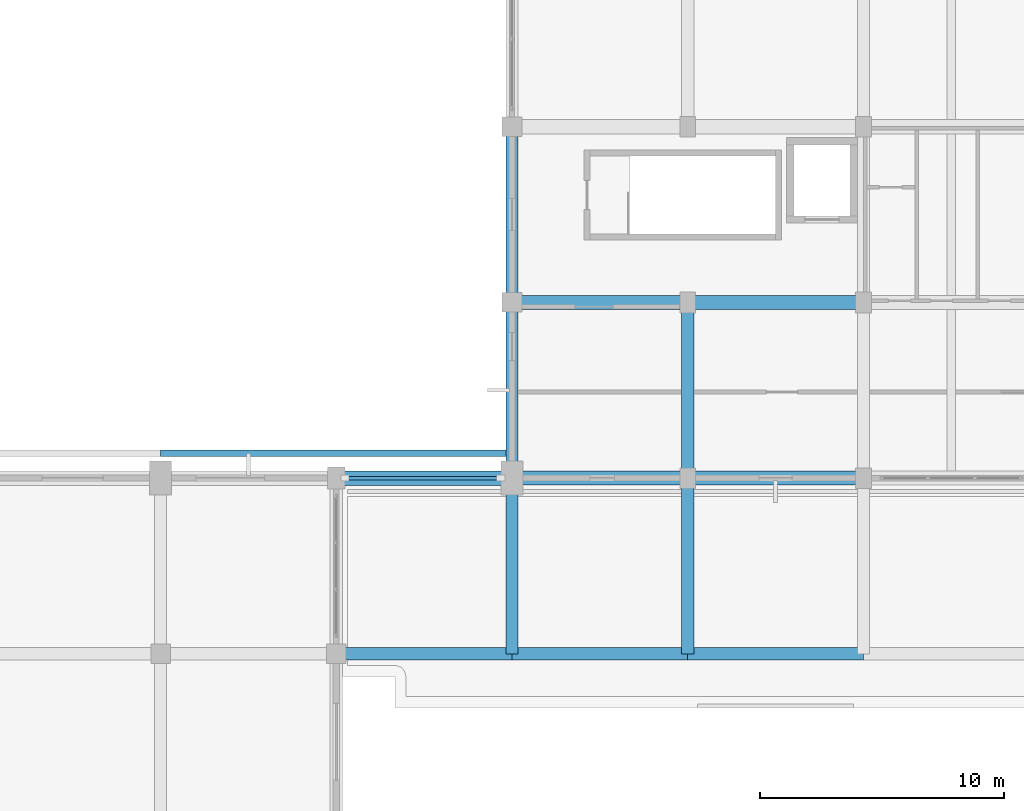
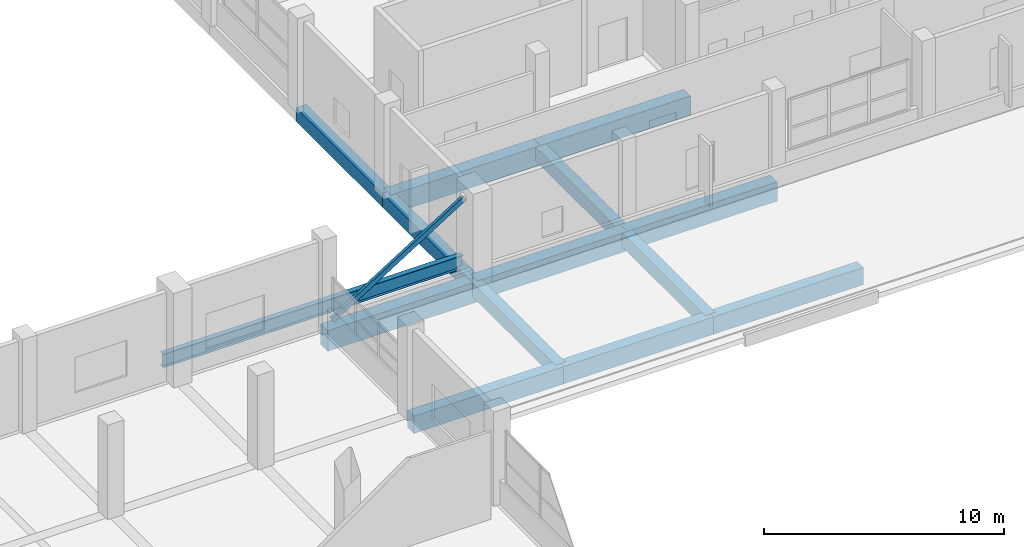
# One storey, part 74 of 140: 14 beams, 1 member.
"""IFC4 building model written with IfcOpenShell, lengths in metres."""

from ifc_helpers import new_model, si_unit, direction, frame, origin, origin_2d, place, context, subcontext, project, spatial, rectangle, hollow_rectangle, i_section, extrude, material, material_profile, profile_set, type_object, element, save


model = new_model("IFC4")

# Units and contexts
model_context = context("Model", 3, precision=1e-05, world=origin(), true_north=direction((0.0, 1.0)))
body_context = subcontext(model_context, "Body", "Model", "MODEL_VIEW")
ifc_project = project(units=[si_unit("LENGTHUNIT", "METRE"), si_unit("AREAUNIT", "SQUARE_METRE"), si_unit("VOLUMEUNIT", "CUBIC_METRE"), si_unit("PLANEANGLEUNIT", "RADIAN"), si_unit("MASSUNIT", "GRAM", prefix="KILO")], contexts=[model_context])

# Site, building, storey
site_placement = place(None, origin())
site = spatial("IfcSite", under=ifc_project, at=site_placement, CompositionType="ELEMENT")
building_placement = place(site_placement, origin())
building = spatial("IfcBuilding", under=site, at=building_placement, Name="Seraya Terrace Polytechnic", CompositionType="ELEMENT")
storey_placement = place(building_placement, frame((0.0, 0.0, 9.60009765625)))
storey = spatial("IfcBuildingStorey", under=building, at=storey_placement, Name="L02", CompositionType="ELEMENT", Elevation=9.60009765625)

# Beams
ifc_material_1 = material(Name="Concrete C40/50", Category="concrete")
ifc_material_profile_1 = material_profile(ifc_material_1, rectangle(XDim=0.60009765625, YDim=1.050048828125, at=origin_2d()), Name="RC 600x1050")
ifc_profile_set_1 = profile_set([ifc_material_profile_1], Name="Concrete C40/50")
beam_type_1 = type_object("IfcBeamType", Name="BM-01", PredefinedType="BEAM", material=ifc_profile_set_1)
beam_1_placement = place(storey_placement, frame((108.0, 79.199951171875, -0.525146484375), z_axis=(1.0, 0.0, 0.0), x_axis=(0.0, 1.0, 0.0)))
element("IfcBeam", 1, at=beam_1_placement, inside=storey, type_object=beam_type_1, Name="Beam BM-01 L02 X (108.0..115.2, 79.2)", PredefinedType="BEAM", context=body_context, shape_type="SweptSolid", body=[
    extrude(rectangle(XDim=0.60009765625, YDim=1.050048828125, at=origin_2d()), origin(), (0.0, 0.0, 1.0), 7.199951171875),
])
ifc_material_profile_2 = material_profile(ifc_material_1, rectangle(XDim=0.580078125, YDim=0.97998046875, at=origin_2d()), Name="RC 580x980")
ifc_profile_set_2 = profile_set([ifc_material_profile_2], Name="Concrete C40/50")
beam_type_2 = type_object("IfcBeamType", Name="BM-02", PredefinedType="BEAM", material=ifc_profile_set_2)
beam_2_placement = place(storey_placement, frame((115.199951171875, 79.199951171875, -0.489990234375), z_axis=(1.0, 0.0, 0.0), x_axis=(0.0, 1.0, 0.0)))
element("IfcBeam", 2, at=beam_2_placement, inside=storey, type_object=beam_type_2, Name="Beam BM-02 L02 X (115.2..122.4, 79.2)", PredefinedType="BEAM", context=body_context, shape_type="SweptSolid", body=[
    extrude(rectangle(XDim=0.580078125, YDim=0.97998046875, at=origin_2d()), origin(), (0.0, 0.0, 1.0), 7.199951171875),
])
beam_3_placement = place(storey_placement, frame((122.39990234375, 79.199951171875, -0.489990234375), z_axis=(1.0, 0.0, 0.0), x_axis=(0.0, 1.0, 0.0)))
element("IfcBeam", 3, at=beam_3_placement, inside=storey, type_object=beam_type_2, Name="Beam BM-02 L02 X (122.4..129.6, 79.2)", PredefinedType="BEAM", context=body_context, shape_type="SweptSolid", body=[
    extrude(rectangle(XDim=0.580078125, YDim=0.97998046875, at=origin_2d()), origin(), (0.0, 0.0, 1.0), 7.2001953125),
])
beam_4_placement = place(storey_placement, frame((115.199951171875, 86.39990234375, -0.489990234375), z_axis=(1.0, 0.0, 0.0), x_axis=(0.0, 1.0, 0.0)))
element("IfcBeam", 4, at=beam_4_placement, inside=storey, type_object=beam_type_2, Name="Beam BM-02 L02 X (115.2..122.4, 86.4)", PredefinedType="BEAM", context=body_context, shape_type="SweptSolid", body=[
    extrude(rectangle(XDim=0.580078125, YDim=0.97998046875, at=origin_2d()), origin(), (0.0, 0.0, 1.0), 7.199951171875),
])
beam_5_placement = place(storey_placement, frame((122.39990234375, 86.39990234375, -0.489990234375), z_axis=(1.0, 0.0, 0.0), x_axis=(0.0, 1.0, 0.0)))
element("IfcBeam", 5, at=beam_5_placement, inside=storey, type_object=beam_type_2, Name="Beam BM-02 L02 X (122.4..129.6, 86.4)", PredefinedType="BEAM", context=body_context, shape_type="SweptSolid", body=[
    extrude(rectangle(XDim=0.580078125, YDim=0.97998046875, at=origin_2d()), origin(), (0.0, 0.0, 1.0), 7.2001953125),
])
ifc_material_profile_3 = material_profile(ifc_material_1, rectangle(XDim=0.52001953125, YDim=0.8798828125, at=origin_2d()), Name="RC 520x880")
ifc_profile_set_3 = profile_set([ifc_material_profile_3], Name="Concrete C40/50")
beam_type_3 = type_object("IfcBeamType", Name="BM-04", PredefinedType="BEAM", material=ifc_profile_set_3)
for number, where, z_axis, x_axis, name in (
    (6, (108.0, 72.0, -0.440185546875), (1.0, 0.0, 0.0), (0.0, 1.0, 0.0), "Beam BM-04 L02 X (108.0..115.2, 72.0)"),
    (7, (115.199951171875, 72.0, -0.440185546875), (1.0, 0.0, 0.0), (0.0, 1.0, 0.0), "Beam BM-04 L02 X (115.2..122.4, 72.0)"),
):
    element("IfcBeam", number, at=place(storey_placement, frame(where, z_axis=z_axis, x_axis=x_axis)), inside=storey, type_object=beam_type_3, Name=name, PredefinedType="BEAM", context=body_context, shape_type="SweptSolid", body=[
        extrude(rectangle(XDim=0.52001953125, YDim=0.8798828125, at=origin_2d()), origin(), (0.0, 0.0, 1.0), 7.199951171875),
    ])
beam_6_placement = place(storey_placement, frame((122.39990234375, 72.0, -0.440185546875), z_axis=(1.0, 0.0, 0.0), x_axis=(0.0, 1.0, 0.0)))
element("IfcBeam", 8, at=beam_6_placement, inside=storey, type_object=beam_type_3, Name="Beam BM-04 L02 X (122.4..129.6, 72.0)", PredefinedType="BEAM", context=body_context, shape_type="SweptSolid", body=[
    extrude(rectangle(XDim=0.52001953125, YDim=0.8798828125, at=origin_2d()), origin(), (0.0, 0.0, 1.0), 7.2001953125),
])
ifc_material_profile_4 = material_profile(ifc_material_1, rectangle(XDim=0.5, YDim=0.699951171875, at=origin_2d()), Name="RC 500x700")
ifc_profile_set_4 = profile_set([ifc_material_profile_4], Name="Concrete C40/50")
beam_type_4 = type_object("IfcBeamType", Name="BM-07", PredefinedType="BEAM", material=ifc_profile_set_4)
for number, where, z_axis, x_axis, name in (
    (9, (115.199951171875, 72.0, -0.35009765625), (0.0, 1.0, 0.0), (-1.0, 0.0, 0.0), "Beam BM-07 L02 Y (115.2, 72.0..79.2)"),
    (10, (115.199951171875, 79.199951171875, -0.35009765625), (0.0, 1.0, 0.0), (-1.0, 0.0, 0.0), "Beam BM-07 L02 Y (115.2, 79.2..86.4)"),
):
    element("IfcBeam", number, at=place(storey_placement, frame(where, z_axis=z_axis, x_axis=x_axis)), inside=storey, type_object=beam_type_4, Name=name, PredefinedType="BEAM", context=body_context, shape_type="SweptSolid", body=[
        extrude(rectangle(XDim=0.5, YDim=0.699951171875, at=origin_2d()), origin(), (0.0, 0.0, 1.0), 7.199951171875),
    ])
beam_7_placement = place(storey_placement, frame((115.199951171875, 86.39990234375, -0.35009765625), z_axis=(0.0, 1.0, 0.0), x_axis=(-1.0, 0.0, 0.0)))
element("IfcBeam", 11, at=beam_7_placement, inside=storey, type_object=beam_type_4, Name="Beam BM-07 L02 Y (115.2, 86.4..93.6)", PredefinedType="BEAM", context=body_context, shape_type="SweptSolid", body=[
    extrude(rectangle(XDim=0.5, YDim=0.699951171875, at=origin_2d()), origin(), (0.0, 0.0, 1.0), 7.2001953125),
])
for number, where, z_axis, x_axis, name in (
    (12, (122.39990234375, 72.0, -0.35009765625), (0.0, 1.0, 0.0), (-1.0, 0.0, 0.0), "Beam BM-07 L02 Y (122.4, 72.0..79.2)"),
    (13, (122.39990234375, 79.199951171875, -0.35009765625), (0.0, 1.0, 0.0), (-1.0, 0.0, 0.0), "Beam BM-07 L02 Y (122.4, 79.2..86.4)"),
):
    element("IfcBeam", number, at=place(storey_placement, frame(where, z_axis=z_axis, x_axis=x_axis)), inside=storey, type_object=beam_type_4, Name=name, PredefinedType="BEAM", context=body_context, shape_type="SweptSolid", body=[
        extrude(rectangle(XDim=0.5, YDim=0.699951171875, at=origin_2d()), origin(), (0.0, 0.0, 1.0), 7.199951171875),
    ])

# Member
ifc_material_2 = material(Name="Steel S355J2", Category="steel")
ifc_material_profile_5 = material_profile(ifc_material_2, hollow_rectangle(XDim=0.14990234375, YDim=0.25, WallThickness=0.010009765625, at=origin_2d()), Name="RHS 250x150x10.0")
ifc_profile_set_5 = profile_set([ifc_material_profile_5], Name="Steel S355J2")
member_type = type_object("IfcMemberType", Name="BR-05", PredefinedType="BRACE", material=ifc_profile_set_5)
member_placement = place(storey_placement, frame((108.364990234375, 79.199951171875, 0.25), z_axis=(0.846880470544, 0.0, 0.531783291024), x_axis=(0.0, 1.0, 0.0)))
element("IfcMember", 14, at=member_placement, inside=storey, type_object=member_type, Name="Solid-bay vertical wind brace L02 SE", PredefinedType="BRACE", context=body_context, shape_type="SweptSolid", body=[
    extrude(hollow_rectangle(XDim=0.14990234375, YDim=0.25, WallThickness=0.010009765625, at=origin_2d()), origin(), (0.0, 0.0, 1.0), 7.52197265625),
])

# Beam
ifc_material_profile_6 = material_profile(ifc_material_2, i_section(OverallWidth=0.25390625, OverallDepth=0.68603515625, WebThickness=0.012451171875, FlangeThickness=0.01904296875, at=origin_2d()), Name="UKB 686x254x12.4x19.0")
ifc_profile_set_6 = profile_set([ifc_material_profile_6], Name="Steel S355J2")
beam_type_5 = type_object("IfcBeamType", Name="CRB-02", PredefinedType="USERDEFINED", material=ifc_profile_set_6)
beam_8_placement = place(storey_placement, frame((100.800048828125, 80.219970703125, 0.2568359375), z_axis=(1.0, 0.0, 0.0), x_axis=(0.0, 1.0, 0.0)))
element("IfcBeam", 15, at=beam_8_placement, inside=storey, type_object=beam_type_5, Name="Crane runway girder CRB-02 bay 6 (S)", ObjectType="CRANE_RUNWAY_BEAM", PredefinedType="USERDEFINED", context=body_context, shape_type="SweptSolid", body=[
    extrude(i_section(OverallWidth=0.25390625, OverallDepth=0.68603515625, WebThickness=0.012451171875, FlangeThickness=0.01904296875, at=origin_2d()), origin(), (0.0, 0.0, 1.0), 14.39990234375),
])

save(model, "model.ifc")
